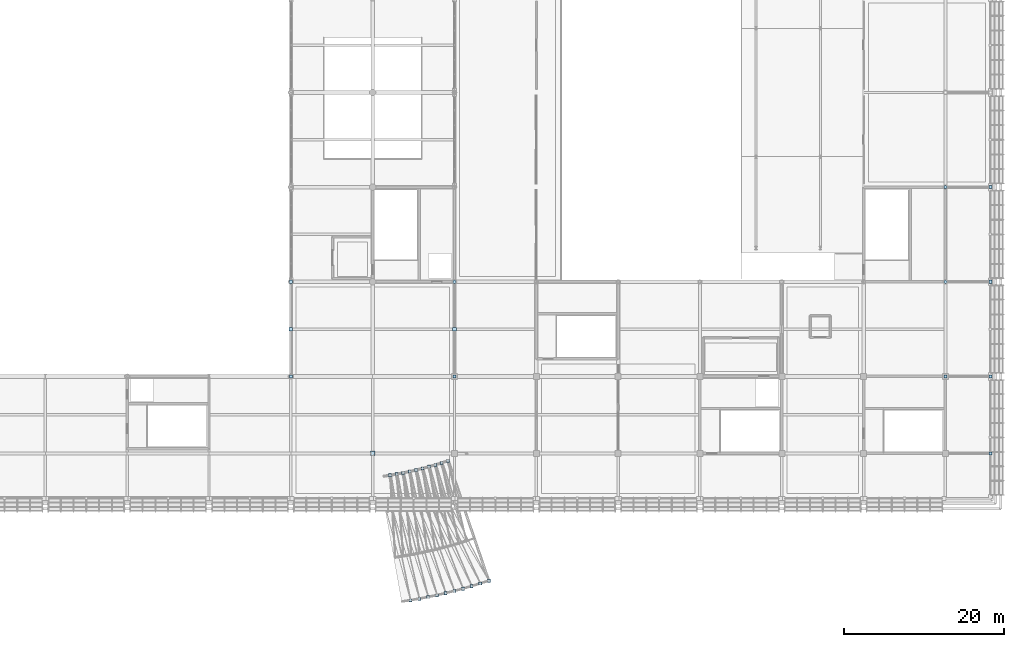
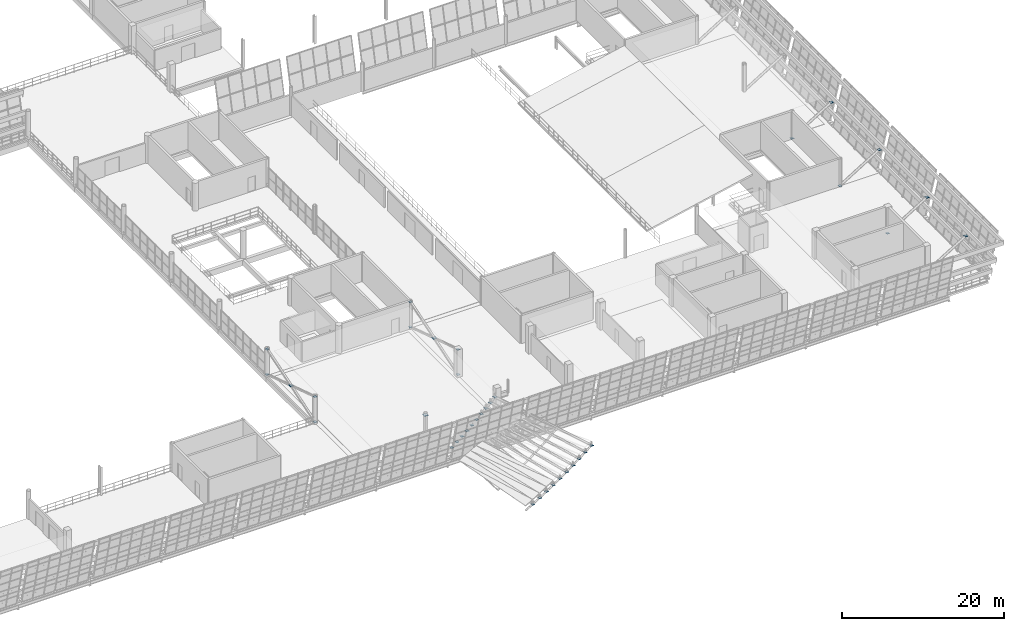
# One storey, part 122 of 157: 38 plates.
"""IFC4 building model written with IfcOpenShell, lengths in metres."""

import ifcopenshell
import ifcopenshell.guid

model = None  # the IFC model being written
_history = None  # IfcOwnerHistory: only IFC2X3 demands one
_inside = {}  # id of a spatial element -> (the spatial element, [elements in it])
_under = {}  # id of a project, library or spatial element -> (it, [spatial elements below it])
_declared = {}  # id of a project -> (the project, [libraries it declares])
_typed = {}  # id of a type object -> (the type object, [elements of that type])
_made_of = {}  # id of a material, layer set ... -> (it, [elements and type objects made of it])


def new_model(schema):
    """Start an empty IFC model of exactly this schema.

    Asked for "IFC4X3", IfcOpenShell would pick the latest addendum, in which some entities
    have other attributes; the version numbers below select the first issue.
    IFC2X3 requires an IfcOwnerHistory on every rooted entity: one is made here for all.
    """
    global model, _history
    if schema == "IFC4X3":
        model = ifcopenshell.file(schema_version=(4, 3, 0, 0))
    else:
        model = ifcopenshell.file(schema=schema)
    _inside.clear()
    _under.clear()
    _declared.clear()
    _typed.clear()
    _made_of.clear()
    _history = None
    if model.schema == "IFC2X3":
        org = make("IfcOrganization", Name="unknown")
        user = make(
            "IfcPersonAndOrganization",
            ThePerson=make("IfcPerson", FamilyName="unknown"),
            TheOrganization=org,
        )
        app = make(
            "IfcApplication",
            ApplicationDeveloper=org,
            Version="unknown",
            ApplicationFullName="unknown",
            ApplicationIdentifier="unknown",
        )
        _history = make(
            "IfcOwnerHistory",
            OwningUser=user,
            OwningApplication=app,
            ChangeAction="ADDED",
            CreationDate=0,
        )
    return model


def make(cls, **values):
    """One entity of the class cls with the attributes given. An attribute that is None is left unset."""
    return model.create_entity(
        cls, **{name: value for name, value in values.items() if value is not None}
    )


def rooted(cls, **values):
    """An entity with a GlobalId (a new one), such as an element, a storey or a relation."""
    return make(cls, GlobalId=ifcopenshell.guid.new(), OwnerHistory=_history, **values)


def si_unit(unit_type, name, prefix=None):
    """IfcSIUnit, for example si_unit("LENGTHUNIT", "METRE", prefix="MILLI")."""
    return make("IfcSIUnit", UnitType=unit_type, Prefix=prefix, Name=name)


def assignment(units):
    """IfcUnitAssignment: the units of a project."""
    return None if units is None else make("IfcUnitAssignment", Units=units)


def point(xyz):
    """IfcCartesianPoint."""
    return None if xyz is None else make("IfcCartesianPoint", Coordinates=xyz)


def direction(xyz):
    """IfcDirection."""
    return None if xyz is None else make("IfcDirection", DirectionRatios=xyz)


def frame(location, z_axis=None, x_axis=None):
    """IfcAxis2Placement3D, a coordinate frame: its origin and axes. An axis left out is left unset."""
    return make(
        "IfcAxis2Placement3D",
        Location=point(location),
        Axis=direction(z_axis),
        RefDirection=direction(x_axis),
    )


def frame_2d(location, x_axis=None):
    """IfcAxis2Placement2D, a coordinate frame in the plane: its origin and x axis."""
    return make(
        "IfcAxis2Placement2D", Location=point(location), RefDirection=direction(x_axis)
    )


def origin():
    """The frame at (0, 0, 0) with its axes left unset."""
    return frame((0.0, 0.0, 0.0))


def origin_2d():
    """The frame at (0, 0) in the plane with its x axis left unset."""
    return frame_2d((0.0, 0.0))


def place(relative_to, where):
    """IfcLocalPlacement: puts the frame where relative to a parent placement (None: the world)."""
    return make(
        "IfcLocalPlacement", PlacementRelTo=relative_to, RelativePlacement=where
    )


def context(
    kind, dimensions, precision=None, world=None, true_north=None, identifier=None
):
    """IfcGeometricRepresentationContext, for example the 3D "Model" context."""
    return make(
        "IfcGeometricRepresentationContext",
        ContextIdentifier=identifier,
        ContextType=kind,
        CoordinateSpaceDimension=dimensions,
        Precision=precision,
        WorldCoordinateSystem=world,
        TrueNorth=true_north,
    )


def subcontext(parent, identifier, kind, view, scale=None):
    """IfcGeometricRepresentationSubContext, for example "Body" below "Model"."""
    return make(
        "IfcGeometricRepresentationSubContext",
        ContextIdentifier=identifier,
        ContextType=kind,
        ParentContext=parent,
        TargetScale=scale,
        TargetView=view,
    )


def project(units=None, contexts=None):
    """IfcProject with its units and contexts."""
    return rooted(
        "IfcProject",
        Name="project",
        RepresentationContexts=contexts,
        UnitsInContext=assignment(units),
    )


def spatial(cls, under=None, at=None, **own):
    """A site, building, storey or space (cls), placed at a placement, below another one or the project."""
    s = rooted(cls, ObjectPlacement=at, **own)
    if under is not None:
        _under.setdefault(under.id(), (under, []))[1].append(s)
    return s


def profile(cls, at=None, kind="AREA", **sizes):
    """A parametric profile (cls). Its sizes go by their IFC names, for example OverallWidth=200.0."""
    return make(cls, ProfileType=kind, Position=at, **sizes)


def rectangle(**sizes):
    """IfcRectangleProfileDef."""
    return profile("IfcRectangleProfileDef", **sizes)


def extrude(swept, where, along, depth):
    """IfcExtrudedAreaSolid: the profile swept, set in the frame where, extruded along a direction by depth."""
    return make(
        "IfcExtrudedAreaSolid",
        SweptArea=swept,
        Position=where,
        ExtrudedDirection=direction(along),
        Depth=depth,
    )


def shape(context_of_items, identifier, shape_type, items):
    """IfcShapeRepresentation: the items that make up one representation, for example the "Body"."""
    return make(
        "IfcShapeRepresentation",
        ContextOfItems=context_of_items,
        RepresentationIdentifier=identifier,
        RepresentationType=shape_type,
        Items=items,
    )


def material(Name=None, Category=None):
    """IfcMaterial."""
    return make("IfcMaterial", Name=Name, Category=Category)


def layer(
    of_material, thickness, ventilated=None, Name=None, Category=None, Priority=None
):
    """IfcMaterialLayer: one layer of a wall or slab, of a material (None: an air gap)."""
    return make(
        "IfcMaterialLayer",
        Material=of_material,
        LayerThickness=thickness,
        IsVentilated=ventilated,
        Name=Name,
        Category=Category,
        Priority=Priority,
    )


def layer_set(layers, Name=None):
    """IfcMaterialLayerSet."""
    return make("IfcMaterialLayerSet", MaterialLayers=layers, LayerSetName=Name)


def made_of(thing, what):
    """Note that an element or type object is made of a material, layer set ...; save() writes the relation."""
    if what is not None:
        _made_of.setdefault(what.id(), (what, []))[1].append(thing)
    return thing


def type_object(cls, material=None, **own):
    """A type object (cls), such as IfcWallType, which elements share."""
    return made_of(rooted(cls, **own), material)


def element(
    cls,
    number,
    at=None,
    inside=None,
    cuts=None,
    type_object=None,
    material=None,
    context=None,
    identifier="Body",
    shape_type=None,
    held_by="IfcProductDefinitionShape",
    body=None,
    shapes=None,
    **own,
):
    """One element of the class cls, such as IfcWall. Its Tag is "e" and its number.

    at: its placement. inside: the storey or other place that contains it. cuts: it is an
    opening in that element (IfcRelVoidsElement). A single representation is given by context,
    identifier, shape_type and body (its items); several are given by shapes. held_by: the class
    of the entity that holds the representations. save() writes the other relations.
    """
    e = rooted(cls, Tag="e%d" % number, ObjectPlacement=at, **own)
    if body is not None:
        shapes = [shape(context, identifier, shape_type, body)]
    if shapes is not None:
        e.Representation = make(held_by, Representations=shapes)
    if inside is not None:
        _inside.setdefault(inside.id(), (inside, []))[1].append(e)
    if cuts is not None:
        rooted(
            "IfcRelVoidsElement", RelatingBuildingElement=cuts, RelatedOpeningElement=e
        )
    if type_object is not None:
        _typed.setdefault(type_object.id(), (type_object, []))[1].append(e)
    return made_of(e, material)


def aggregate(whole, parts):
    """IfcRelAggregates: a whole, such as a stair, and the parts it consists of."""
    return rooted("IfcRelAggregates", RelatingObject=whole, RelatedObjects=parts)


def save(model, path):
    """Write the relations noted so far, then the file.

    IfcRelAggregates (storeys below a building ...), IfcRelContainedInSpatialStructure (elements
    in a storey), IfcRelDefinesByType, IfcRelAssociatesMaterial and IfcRelDeclares: one each for
    every whole, place, type object, material and project.
    """
    for whole, parts in _under.values():
        aggregate(whole, parts)
    for where, things in _inside.values():
        rooted(
            "IfcRelContainedInSpatialStructure",
            RelatedElements=things,
            RelatingStructure=where,
        )
    for kind, things in _typed.values():
        rooted("IfcRelDefinesByType", RelatedObjects=things, RelatingType=kind)
    for what, things in _made_of.values():
        rooted("IfcRelAssociatesMaterial", RelatedObjects=things, RelatingMaterial=what)
    for by, libraries in _declared.values():
        rooted("IfcRelDeclares", RelatingContext=by, RelatedDefinitions=libraries)
    model.write(path)


model = new_model("IFC4")

# Units and contexts
model_context = context("Model", 3, precision=1e-05, world=origin(), true_north=direction((0.0, 1.0)))
body_context = subcontext(model_context, "Body", "Model", "MODEL_VIEW")
ifc_project = project(units=[si_unit("LENGTHUNIT", "METRE"), si_unit("AREAUNIT", "SQUARE_METRE"), si_unit("VOLUMEUNIT", "CUBIC_METRE"), si_unit("PLANEANGLEUNIT", "RADIAN"), si_unit("MASSUNIT", "GRAM", prefix="KILO")], contexts=[model_context])

# Site, building, storey
site_placement = place(None, origin())
site = spatial("IfcSite", under=ifc_project, at=site_placement, CompositionType="ELEMENT")
building_placement = place(site_placement, origin())
building = spatial("IfcBuilding", under=site, at=building_placement, Name="Brelvane Convention Centre", CompositionType="ELEMENT")
storey_placement = place(building_placement, frame((0.0, 0.0, 10.800048828125)))
storey = spatial("IfcBuildingStorey", under=building, at=storey_placement, Name="L02", CompositionType="ELEMENT", Elevation=10.800048828125)

# Plates
ifc_material_1 = material(Name="Steel E450 (450 MPa)", Category="steel")
ifc_layer_1 = layer(ifc_material_1, 0.031982421875)
ifc_layer_set_1 = layer_set([ifc_layer_1], Name="Steel E450 (450 MPa)")
plate_type_1 = type_object("IfcPlateType", Name="Steel Node Gusset Plate ND-1", PredefinedType="SHEET", material=ifc_layer_set_1)
plate_placement = place(storey_placement, frame((153.0, 19.199951171875, 3.48388671875), z_axis=(0.0, 0.0, 1.0), x_axis=(1.0, 0.0, 0.0)))
element("IfcPlate", 1, at=plate_placement, inside=storey, type_object=plate_type_1, Name="Canopy Root Column Cap Node", PredefinedType="SHEET", context=body_context, shape_type="SweptSolid", body=[
    extrude(rectangle(XDim=0.56005859375, YDim=0.56005859375, at=origin_2d()), origin(), (0.0, 0.0, 1.0), 0.031982421875),
])
ifc_material_2 = material(Name="Steel E450 (450 MPa)", Category="steel")
ifc_layer_2 = layer(ifc_material_2, 0.028076171875)
ifc_layer_set_2 = layer_set([ifc_layer_2], Name="Steel E450 (450 MPa)")
plate_type_2 = type_object("IfcPlateType", Name="Steel Node Gusset Plate ND-2", PredefinedType="SHEET", material=ifc_layer_set_2)
for number, where, z_axis, x_axis, name in (
    (2, (142.800048828125, 34.699951171875, 2.0859375), (0.0, 0.0, 1.0), (1.0, 0.0, 0.0), "X-Brace Central Gusset V1E-1-L02"),
    (3, (163.199951171875, 34.699951171875, 2.0859375), (0.0, 0.0, 1.0), (1.0, 0.0, 0.0), "X-Brace Central Gusset V2W-1-L02"),
):
    element("IfcPlate", number, at=place(storey_placement, frame(where, z_axis=z_axis, x_axis=x_axis)), inside=storey, type_object=plate_type_2, Name=name, PredefinedType="SHEET", context=body_context, shape_type="SweptSolid", body=[
        extrude(rectangle(XDim=0.4599609375, YDim=0.4599609375, at=origin_2d()), origin(), (0.0, 0.0, 1.0), 0.028076171875),
    ])
ifc_material_3 = material(Name="Steel E450 (450 MPa)", Category="steel")
ifc_layer_3 = layer(ifc_material_3, 0.02490234375)
ifc_layer_set_3 = layer_set([ifc_layer_3], Name="Steel E450 (450 MPa)")
plate_type_3 = type_object("IfcPlateType", Name="Steel Node Gusset Plate ND-3", PredefinedType="SHEET", material=ifc_layer_set_3)
for number, where, z_axis, x_axis, name in (
    (4, (230.0, 19.199951171875, 3.487548828125), (0.0, 0.0, 1.0), (1.0, 0.0, 0.0), "Plenary Strut Node L03-Y19-top"),
    (5, (224.39990234375, 28.800048828125, 0.03759765625), (0.0, 0.0, 1.0), (1.0, 0.0, 0.0), "Plenary Strut Node L03-Y28-bot"),
    (6, (230.0, 28.800048828125, 3.487548828125), (0.0, 0.0, 1.0), (1.0, 0.0, 0.0), "Plenary Strut Node L03-Y28-top"),
    (7, (224.39990234375, 40.60009765625, 0.03759765625), (0.0, 0.0, 1.0), (1.0, 0.0, 0.0), "Plenary Strut Node L03-Y40-bot"),
    (8, (230.0, 40.60009765625, 3.487548828125), (0.0, 0.0, 1.0), (1.0, 0.0, 0.0), "Plenary Strut Node L03-Y40-top"),
    (9, (224.39990234375, 52.39990234375, 0.03759765625), (0.0, 0.0, 1.0), (1.0, 0.0, 0.0), "Plenary Strut Node L03-Y52-bot"),
    (10, (230.0, 52.39990234375, 3.487548828125), (0.0, 0.0, 1.0), (1.0, 0.0, 0.0), "Plenary Strut Node L03-Y52-top"),
    (11, (162.38232421875, 18.28271484375, 3.464111328125), (0.0, 0.0, 1.0), (1.0, 0.0, 0.0), "Canopy Rafter Cap 03-in"),
    (12, (167.477294921875, 3.32666015625, 3.464111328125), (0.0, 0.0, 1.0), (1.0, 0.0, 0.0), "Canopy Rafter Cap 03-out"),
    (13, (161.596923828125, 18.023193359375, 3.04052734375), (0.0, 0.0, 1.0), (1.0, 0.0, 0.0), "Canopy Rafter Cap 04-in"),
    (14, (166.413818359375, 2.975341796875, 3.04052734375), (0.0, 0.0, 1.0), (1.0, 0.0, 0.0), "Canopy Rafter Cap 04-out"),
    (15, (160.806884765625, 17.7783203125, 2.612548828125), (0.0, 0.0, 1.0), (1.0, 0.0, 0.0), "Canopy Rafter Cap 05-in"),
    (16, (165.343994140625, 2.643798828125, 2.612548828125), (0.0, 0.0, 1.0), (1.0, 0.0, 0.0), "Canopy Rafter Cap 05-out"),
    (17, (160.0126953125, 17.548095703125, 2.18017578125), (0.0, 0.0, 1.0), (1.0, 0.0, 0.0), "Canopy Rafter Cap 06-in"),
    (18, (164.26806640625, 2.33203125, 2.18017578125), (0.0, 0.0, 1.0), (1.0, 0.0, 0.0), "Canopy Rafter Cap 06-out"),
    (19, (159.214111328125, 17.332763671875, 1.7431640625), (0.0, 0.0, 1.0), (1.0, 0.0, 0.0), "Canopy Rafter Cap 07-in"),
    (20, (163.186767578125, 2.040283203125, 1.7431640625), (0.0, 0.0, 1.0), (1.0, 0.0, 0.0), "Canopy Rafter Cap 07-out"),
    (21, (158.41162109375, 17.13232421875, 1.3017578125), (0.0, 0.0, 1.0), (1.0, 0.0, 0.0), "Canopy Rafter Cap 08-in"),
    (22, (162.10009765625, 1.768798828125, 1.3017578125), (0.0, 0.0, 1.0), (1.0, 0.0, 0.0), "Canopy Rafter Cap 08-out"),
    (23, (157.605712890625, 16.94677734375, 0.855712890625), (0.0, 0.0, 1.0), (1.0, 0.0, 0.0), "Canopy Rafter Cap 09-in"),
    (24, (161.008544921875, 1.517578125, 0.855712890625), (0.0, 0.0, 1.0), (1.0, 0.0, 0.0), "Canopy Rafter Cap 09-out"),
    (25, (156.79638671875, 16.776123046875, 0.4052734375), (0.0, 0.0, 1.0), (1.0, 0.0, 0.0), "Canopy Rafter Cap 10-in"),
    (26, (159.91259765625, 1.286376953125, 0.4052734375), (0.0, 0.0, 1.0), (1.0, 0.0, 0.0), "Canopy Rafter Cap 10-out"),
    (27, (155.984130859375, 16.62060546875, -0.0498046875), (0.0, 0.0, 1.0), (1.0, 0.0, 0.0), "Canopy Rafter Cap 11-in"),
    (28, (158.8125, 1.07568359375, -0.0498046875), (0.0, 0.0, 1.0), (1.0, 0.0, 0.0), "Canopy Rafter Cap 11-out"),
    (29, (155.169189453125, 16.47998046875, -0.509033203125), (0.0, 0.0, 1.0), (1.0, 0.0, 0.0), "Canopy Rafter Cap 12-in"),
    (30, (157.708984375, 0.885498046875, -0.509033203125), (0.0, 0.0, 1.0), (1.0, 0.0, 0.0), "Canopy Rafter Cap 12-out"),
    (31, (142.800048828125, 28.800048828125, 0.1875), (0.0, 0.0, 1.0), (1.0, 0.0, 0.0), "X-Brace End Gusset V1E-1-L02-1"),
    (32, (142.800048828125, 40.60009765625, 3.987548828125), (0.0, 0.0, 1.0), (1.0, 0.0, 0.0), "X-Brace End Gusset V1E-1-L02-2"),
    (33, (142.800048828125, 40.60009765625, 0.1875), (0.0, 0.0, 1.0), (1.0, 0.0, 0.0), "X-Brace End Gusset V1E-1-L02-3"),
    (34, (142.800048828125, 28.800048828125, 3.987548828125), (0.0, 0.0, 1.0), (1.0, 0.0, 0.0), "X-Brace End Gusset V1E-1-L02-4"),
    (35, (163.199951171875, 28.800048828125, 0.1875), (0.0, 0.0, 1.0), (1.0, 0.0, 0.0), "X-Brace End Gusset V2W-1-L02-1"),
    (36, (163.199951171875, 40.60009765625, 3.987548828125), (0.0, 0.0, 1.0), (1.0, 0.0, 0.0), "X-Brace End Gusset V2W-1-L02-2"),
    (37, (163.199951171875, 40.60009765625, 0.1875), (0.0, 0.0, 1.0), (1.0, 0.0, 0.0), "X-Brace End Gusset V2W-1-L02-3"),
    (38, (163.199951171875, 28.800048828125, 3.987548828125), (0.0, 0.0, 1.0), (1.0, 0.0, 0.0), "X-Brace End Gusset V2W-1-L02-4"),
):
    element("IfcPlate", number, at=place(storey_placement, frame(where, z_axis=z_axis, x_axis=x_axis)), inside=storey, type_object=plate_type_3, Name=name, PredefinedType="SHEET", context=body_context, shape_type="SweptSolid", body=[
        extrude(rectangle(XDim=0.3798828125, YDim=0.3798828125, at=origin_2d()), origin(), (0.0, 0.0, 1.0), 0.02490234375),
    ])

save(model, "model.ifc")
